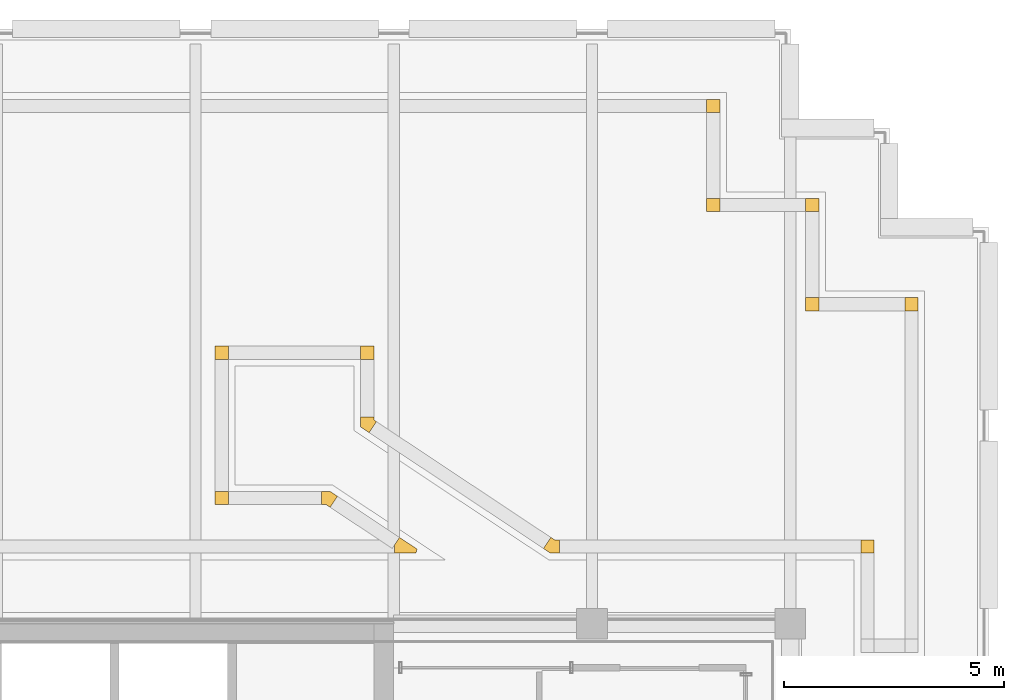
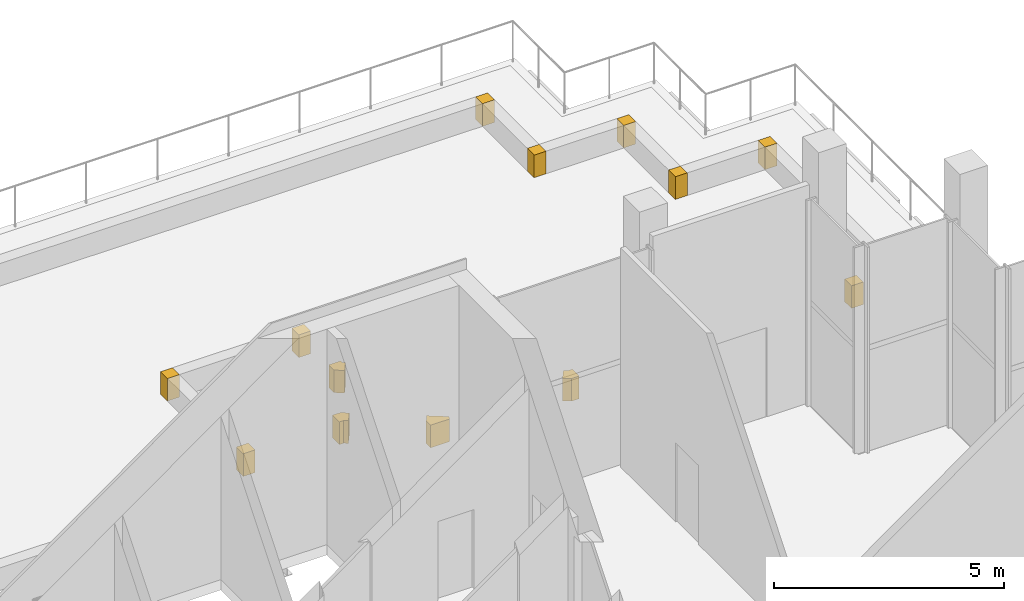
# One storey, part 15 of 15: 13 coverings.
"""IFC4 building model written with IfcOpenShell, lengths in metres."""

from ifc_helpers import new_model, si_unit, direction, frame, origin, place, context, subcontext, project, spatial, polyline, outline, extrude, material, layer, layer_set, type_object, element, save


model = new_model("IFC4")

# Units and contexts
model_context = context("Model", 3, precision=1e-05, world=origin(), true_north=direction((0.0, 1.0)))
body_context = subcontext(model_context, "Body", "Model", "MODEL_VIEW")
ifc_project = project(units=[si_unit("LENGTHUNIT", "METRE"), si_unit("AREAUNIT", "SQUARE_METRE"), si_unit("VOLUMEUNIT", "CUBIC_METRE"), si_unit("PLANEANGLEUNIT", "RADIAN"), si_unit("MASSUNIT", "GRAM", prefix="KILO")], contexts=[model_context])

# Site, building, storey
site_placement = place(None, origin())
site = spatial("IfcSite", under=ifc_project, at=site_placement, CompositionType="ELEMENT")
building_placement = place(site_placement, origin())
building = spatial("IfcBuilding", under=site, at=building_placement, Name="Altepetl Exchange Towers", CompositionType="ELEMENT")
storey_placement = place(building_placement, frame((0.0, 0.0, 263.60009765625)))
storey = spatial("IfcBuildingStorey", under=building, at=storey_placement, Name="L67 Observation deck", CompositionType="ELEMENT", Elevation=263.60009765625)

# Coverings
ifc_material = material(Name="Concrete C30/37", Category="concrete")
ifc_layer = layer(ifc_material, 0.300048828125)
ifc_layer_set = layer_set([ifc_layer], Name="Concrete C30/37")
covering_type = type_object("IfcCoveringType", Name="Planter corner block 300 concrete", PredefinedType="CLADDING", material=ifc_layer_set)
covering_1_placement = place(storey_placement, origin())
element("IfcCovering", 1, at=covering_1_placement, inside=storey, type_object=covering_type, Name="Planter corner block", PredefinedType="CLADDING", context=body_context, shape_type="SweptSolid", body=[
    extrude(outline(polyline([(65.60009765625, 67.85009765625), (65.89990234375, 67.85009765625), (65.89990234375, 68.14990234375), (65.60009765625, 68.14990234375), (65.60009765625, 67.85009765625)])), origin(), (0.0, 0.0, 1.0), 0.599853515625),
])
covering_2_placement = place(storey_placement, origin())
element("IfcCovering", 2, at=covering_2_placement, inside=storey, type_object=covering_type, Name="Planter corner block", PredefinedType="CLADDING", context=body_context, shape_type="SweptSolid", body=[
    extrude(outline(polyline([(65.60009765625, 70.10009765625), (65.89990234375, 70.10009765625), (65.89990234375, 70.39990234375), (65.60009765625, 70.39990234375), (65.60009765625, 70.10009765625)])), origin(), (0.0, 0.0, 1.0), 0.599853515625),
])
covering_3_placement = place(storey_placement, origin())
element("IfcCovering", 3, at=covering_3_placement, inside=storey, type_object=covering_type, Name="Planter corner block", PredefinedType="CLADDING", context=body_context, shape_type="SweptSolid", body=[
    extrude(outline(polyline([(59.01806640625, 60.1455078125), (59.026611328125, 60.1796875), (59.02880859375, 60.194091796875), (58.631591796875, 60.4580078125), (58.5234375, 60.29541015625), (58.5234375, 60.10009765625), (59.000244140625, 60.10009765625), (59.01806640625, 60.1455078125)])), origin(), (0.0, 0.0, 1.0), 0.599853515625),
])
covering_4_placement = place(storey_placement, origin())
element("IfcCovering", 4, at=covering_4_placement, inside=storey, type_object=covering_type, Name="Planter corner block", PredefinedType="CLADDING", context=body_context, shape_type="SweptSolid", body=[
    extrude(outline(polyline([(57.22509765625, 61.39208984375), (57.372314453125, 61.294189453125), (57.0625, 61.5), (56.8671875, 61.5), (56.8671875, 61.199951171875), (56.971923828125, 61.199951171875), (57.05908203125, 61.14208984375), (57.22509765625, 61.39208984375)])), origin(), (0.0, 0.0, 1.0), 0.599853515625),
])
covering_5_placement = place(storey_placement, origin())
element("IfcCovering", 5, at=covering_5_placement, inside=storey, type_object=covering_type, Name="Planter corner block", PredefinedType="CLADDING", context=body_context, shape_type="SweptSolid", body=[
    extrude(outline(polyline([(54.449951171875, 61.5), (54.449951171875, 61.199951171875), (54.75, 61.199951171875), (54.75, 61.5), (54.449951171875, 61.5)])), origin(), (0.0, 0.0, 1.0), 0.599853515625),
])
covering_6_placement = place(storey_placement, origin())
element("IfcCovering", 6, at=covering_6_placement, inside=storey, type_object=covering_type, Name="Planter corner block", PredefinedType="CLADDING", context=body_context, shape_type="SweptSolid", body=[
    extrude(outline(polyline([(54.75, 64.800048828125), (54.449951171875, 64.800048828125), (54.449951171875, 64.5), (54.75, 64.5), (54.75, 64.800048828125)])), origin(), (0.0, 0.0, 1.0), 0.599853515625),
])
covering_7_placement = place(storey_placement, origin())
element("IfcCovering", 7, at=covering_7_placement, inside=storey, type_object=covering_type, Name="Planter corner block", PredefinedType="CLADDING", context=body_context, shape_type="SweptSolid", body=[
    extrude(outline(polyline([(58.050048828125, 64.5), (58.050048828125, 64.800048828125), (57.75, 64.800048828125), (57.75, 64.5), (58.050048828125, 64.5)])), origin(), (0.0, 0.0, 1.0), 0.599853515625),
])
covering_8_placement = place(storey_placement, origin())
element("IfcCovering", 8, at=covering_8_placement, inside=storey, type_object=covering_type, Name="Planter corner block", PredefinedType="CLADDING", context=body_context, shape_type="SweptSolid", body=[
    extrude(outline(polyline([(58.050048828125, 63.194580078125), (57.75, 63.194580078125), (57.75, 62.964111328125), (58.08935546875, 62.73876953125), (57.94189453125, 62.836669921875), (58.10791015625, 63.086669921875), (58.050048828125, 63.125), (58.050048828125, 63.194580078125)])), origin(), (0.0, 0.0, 1.0), 0.599853515625),
])
covering_9_placement = place(storey_placement, origin())
element("IfcCovering", 9, at=covering_9_placement, inside=storey, type_object=covering_type, Name="Planter corner block", PredefinedType="CLADDING", context=body_context, shape_type="SweptSolid", body=[
    extrude(outline(polyline([(62.065673828125, 60.4580078125), (61.89990234375, 60.2080078125), (62.0625, 60.10009765625), (62.2578125, 60.10009765625), (62.2578125, 60.39990234375), (62.153076171875, 60.39990234375), (61.91845703125, 60.555908203125), (62.065673828125, 60.4580078125)])), origin(), (0.0, 0.0, 1.0), 0.599853515625),
])
covering_10_placement = place(storey_placement, origin())
element("IfcCovering", 10, at=covering_10_placement, inside=storey, type_object=covering_type, Name="Planter corner block", PredefinedType="CLADDING", context=body_context, shape_type="SweptSolid", body=[
    extrude(outline(polyline([(69.39990234375, 60.10009765625), (69.39990234375, 60.39990234375), (69.10009765625, 60.39990234375), (69.10009765625, 60.10009765625), (69.39990234375, 60.10009765625)])), origin(), (0.0, 0.0, 1.0), 0.599853515625),
])
covering_11_placement = place(storey_placement, origin())
element("IfcCovering", 11, at=covering_11_placement, inside=storey, type_object=covering_type, Name="Planter corner block", PredefinedType="CLADDING", context=body_context, shape_type="SweptSolid", body=[
    extrude(outline(polyline([(70.10009765625, 65.60009765625), (70.39990234375, 65.60009765625), (70.39990234375, 65.89990234375), (70.10009765625, 65.89990234375), (70.10009765625, 65.60009765625)])), origin(), (0.0, 0.0, 1.0), 0.599853515625),
])
covering_12_placement = place(storey_placement, origin())
element("IfcCovering", 12, at=covering_12_placement, inside=storey, type_object=covering_type, Name="Planter corner block", PredefinedType="CLADDING", context=body_context, shape_type="SweptSolid", body=[
    extrude(outline(polyline([(67.85009765625, 65.89990234375), (67.85009765625, 65.60009765625), (68.14990234375, 65.60009765625), (68.14990234375, 65.89990234375), (67.85009765625, 65.89990234375)])), origin(), (0.0, 0.0, 1.0), 0.599853515625),
])
covering_13_placement = place(storey_placement, origin())
element("IfcCovering", 13, at=covering_13_placement, inside=storey, type_object=covering_type, Name="Planter corner block", PredefinedType="CLADDING", context=body_context, shape_type="SweptSolid", body=[
    extrude(outline(polyline([(67.85009765625, 67.85009765625), (68.14990234375, 67.85009765625), (68.14990234375, 68.14990234375), (67.85009765625, 68.14990234375), (67.85009765625, 67.85009765625)])), origin(), (0.0, 0.0, 1.0), 0.599853515625),
])

save(model, "model.ifc")
